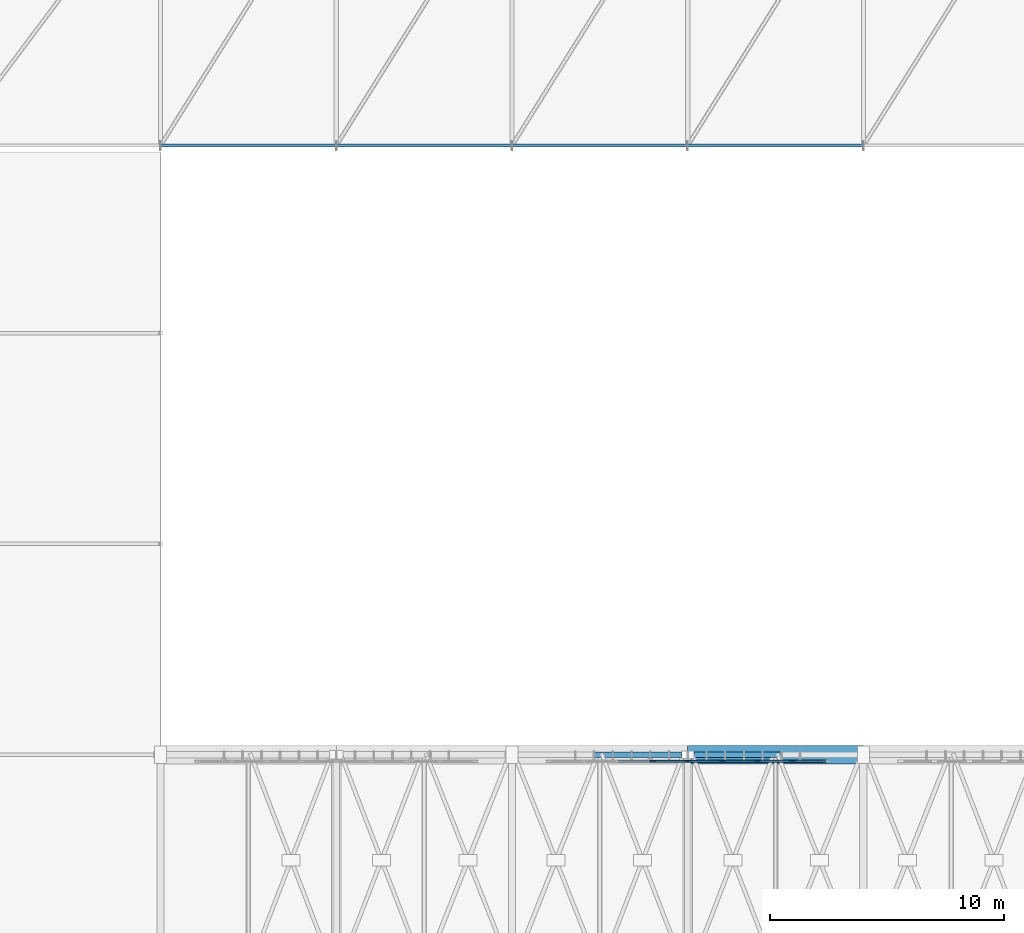
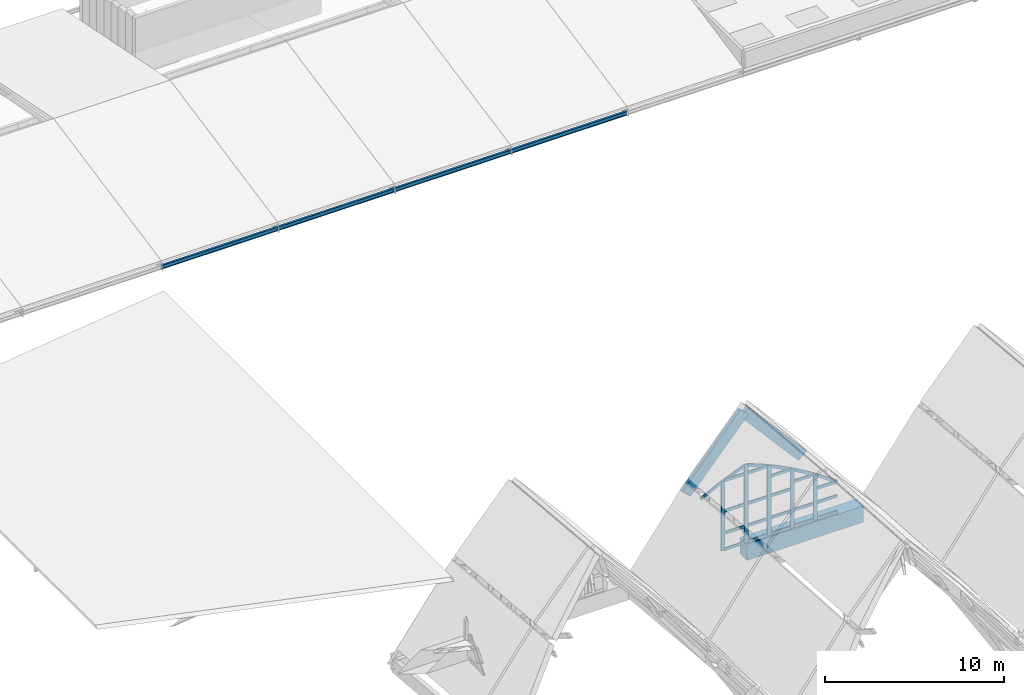
# One storey, part 43 of 93: 29 members, 7 beams, 1 element without a shape of its own.
"""IFC4 building model written with IfcOpenShell, lengths in metres."""

from ifc_helpers import new_model, si_unit, direction, frame, origin, origin_2d, place, context, subcontext, project, spatial, rectangle, i_section, extrude, material, material_profile, profile_set, type_object, element, aggregate, save


model = new_model("IFC4")

# Units and contexts
model_context = context("Model", 3, precision=1e-05, world=origin(), true_north=direction((0.0, 1.0)))
body_context = subcontext(model_context, "Body", "Model", "MODEL_VIEW")
ifc_project = project(units=[si_unit("LENGTHUNIT", "METRE"), si_unit("AREAUNIT", "SQUARE_METRE"), si_unit("VOLUMEUNIT", "CUBIC_METRE"), si_unit("PLANEANGLEUNIT", "RADIAN"), si_unit("MASSUNIT", "GRAM", prefix="KILO")], contexts=[model_context])

# Site, building, storey
site_placement = place(None, origin())
site = spatial("IfcSite", under=ifc_project, at=site_placement, CompositionType="ELEMENT")
building_placement = place(site_placement, origin())
building = spatial("IfcBuilding", under=site, at=building_placement, Name="Vourika Railside Aquatics Centre", CompositionType="ELEMENT")
storey_placement = place(building_placement, frame((0.0, 0.0, 21.89990234375)))
storey = spatial("IfcBuildingStorey", under=building, at=storey_placement, Name="Roof", CompositionType="ELEMENT", Elevation=21.89990234375)

# Beams
ifc_material_1 = material(Name="Glulam GL32h", Category="wood")
ifc_material_profile_1 = material_profile(ifc_material_1, rectangle(XDim=0.239990234375, YDim=0.719970703125, at=origin_2d()), Name="GL32h 240x720")
ifc_profile_set_1 = profile_set([ifc_material_profile_1], Name="Glulam GL32h")
beam_type_1 = type_object("IfcBeamType", Name="BM-GL-ARCH-240x720", PredefinedType="BEAM", material=ifc_profile_set_1)
for number, where, z_axis, x_axis, name in (
    (1, (54.75, 66.0, -6.599853515625), (0.657258623263, 0.0, 0.75366511273), (0.0, 1.0, 0.0), "Pointed Glulam Vault Arch Rib GAR-0060"),
    (2, (58.5, 66.0, -2.2998046875), (0.657258623263, 0.0, -0.75366511273), (0.0, 1.0, 0.0), "Pointed Glulam Vault Arch Rib GAR-0061"),
):
    element("IfcBeam", number, at=place(storey_placement, frame(where, z_axis=z_axis, x_axis=x_axis)), inside=storey, type_object=beam_type_1, Name=name, PredefinedType="BEAM", context=body_context, shape_type="SweptSolid", body=[
        extrude(rectangle(XDim=0.239990234375, YDim=0.719970703125, at=origin_2d()), origin(), (0.0, 0.0, 1.0), 5.70556640625),
    ])
ifc_material_2 = material(Name="Concrete C40/50", Category="concrete")
ifc_material_profile_2 = material_profile(ifc_material_2, rectangle(XDim=0.800048828125, YDim=1.10009765625, at=origin_2d()), Name="RC 800x1100")
ifc_profile_set_2 = profile_set([ifc_material_profile_2], Name="Concrete C40/50")
beam_type_2 = type_object("IfcBeamType", Name="BM-RING-800x1100", PredefinedType="BEAM", material=ifc_profile_set_2)
beam_placement = place(storey_placement, frame((58.5, 66.0, -11.699951171875), z_axis=(1.0, 0.0, 0.0), x_axis=(0.0, 1.0, 0.0)))
element("IfcBeam", 3, at=beam_placement, inside=storey, type_object=beam_type_2, Name="Vault Springing Ring Beam N (58.5-66.0)", PredefinedType="BEAM", context=body_context, shape_type="SweptSolid", body=[
    extrude(rectangle(XDim=0.800048828125, YDim=1.10009765625, at=origin_2d()), origin(), (0.0, 0.0, 1.0), 7.5),
])
ifc_material_3 = material(Name="Steel S355J2", Category="steel")
ifc_material_profile_3 = material_profile(ifc_material_3, i_section(OverallWidth=0.135009765625, OverallDepth=0.27001953125, WebThickness=0.006591796875, FlangeThickness=0.01025390625, at=origin_2d()), Name="IPE 270")
ifc_profile_set_3 = profile_set([ifc_material_profile_3], Name="Steel S355J2")
beam_type_3 = type_object("IfcBeamType", Name="BM-STL-IPE270", PredefinedType="SPANDREL", material=ifc_profile_set_3)
for number, where, z_axis, x_axis, name in (
    (4, (36.0, 92.0, -0.375), (1.0, 0.0, 0.0), (0.0, 1.0, 0.0), "Floor Beam GX-Roof-003"),
    (5, (43.5, 92.0, -0.375), (1.0, 0.0, 0.0), (0.0, 1.0, 0.0), "Floor Beam GX-Roof-004"),
    (6, (51.0, 92.0, -0.375), (1.0, 0.0, 0.0), (0.0, 1.0, 0.0), "Floor Beam GX-Roof-005"),
    (7, (58.5, 92.0, -0.375), (1.0, 0.0, 0.0), (0.0, 1.0, 0.0), "Floor Beam GX-Roof-006"),
):
    element("IfcBeam", number, at=place(storey_placement, frame(where, z_axis=z_axis, x_axis=x_axis)), inside=storey, type_object=beam_type_3, Name=name, PredefinedType="SPANDREL", context=body_context, shape_type="SweptSolid", body=[
        extrude(i_section(OverallWidth=0.135009765625, OverallDepth=0.27001953125, WebThickness=0.006591796875, FlangeThickness=0.01025390625, at=origin_2d()), origin(), (0.0, 0.0, 1.0), 7.5),
    ])

# Curtain wall, members
ifc_material_4 = material(Name="Anodized thermally broken aluminium", Category="aluminium")
curtain_wall_type = type_object("IfcCurtainWallType", Name="CW-VLTN1", PredefinedType="NOTDEFINED", material=ifc_material_4)
curtain_wall_placement = place(storey_placement, origin())
curtain_wall = element("IfcCurtainWall", 8, at=curtain_wall_placement, inside=storey, type_object=curtain_wall_type, Name="North Courtyard Pointed-Arch Curtain Wall Bay 2", PredefinedType="NOTDEFINED")
ifc_material_5 = material(Name="Anodized aluminium mullion", Category="aluminium")
ifc_material_profile_4 = material_profile(ifc_material_5, rectangle(XDim=0.0849609375, YDim=0.25, at=origin_2d()), Name="ALU-M 85x250")
ifc_profile_set_4 = profile_set([ifc_material_profile_4], Name="Anodized aluminium mullion")
member_type_1 = type_object("IfcMemberType", Name="CWM-VLTN1", PredefinedType="MULLION", material=ifc_profile_set_4)
member_1_placement = place(storey_placement, frame((62.96240234375, 65.719970703125, -11.099853515625), z_axis=(0.0, 0.0, 1.0), x_axis=(0.0, -1.0, 0.0)))
member_1 = element("IfcMember", 9, at=member_1_placement, type_object=member_type_1, Name="CW01 arch mullion 2", PredefinedType="MULLION", context=body_context, shape_type="SweptSolid", body=[
    extrude(rectangle(XDim=0.0849609375, YDim=0.25, at=origin_2d()), origin(), (0.0, 0.0, 1.0), 3.1259765625),
])
member_2_placement = place(storey_placement, frame((61.47509765625, 65.719970703125, -11.099853515625), z_axis=(0.0, 0.0, 1.0), x_axis=(0.0, -1.0, 0.0)))
member_2 = element("IfcMember", 10, at=member_2_placement, type_object=member_type_1, Name="CW01 arch mullion 3", PredefinedType="MULLION", context=body_context, shape_type="SweptSolid", body=[
    extrude(rectangle(XDim=0.0849609375, YDim=0.25, at=origin_2d()), origin(), (0.0, 0.0, 1.0), 4.009033203125),
])
member_3_placement = place(storey_placement, frame((59.987548828125, 65.719970703125, -11.099853515625), z_axis=(0.0, 0.0, 1.0), x_axis=(0.0, -1.0, 0.0)))
member_3 = element("IfcMember", 11, at=member_3_placement, type_object=member_type_1, Name="CW01 arch mullion 4", PredefinedType="MULLION", context=body_context, shape_type="SweptSolid", body=[
    extrude(rectangle(XDim=0.0849609375, YDim=0.25, at=origin_2d()), origin(), (0.0, 0.0, 1.0), 4.7509765625),
])
member_4_placement = place(storey_placement, frame((58.5, 65.719970703125, -11.099853515625), z_axis=(0.0, 0.0, 1.0), x_axis=(0.0, -1.0, 0.0)))
member_4 = element("IfcMember", 12, at=member_4_placement, type_object=member_type_1, Name="CW01 arch mullion 5", PredefinedType="MULLION", context=body_context, shape_type="SweptSolid", body=[
    extrude(rectangle(XDim=0.0849609375, YDim=0.25, at=origin_2d()), origin(), (0.0, 0.0, 1.0), 5.349853515625),
])
member_5_placement = place(storey_placement, frame((57.012451171875, 65.719970703125, -11.099853515625), z_axis=(0.0, 0.0, 1.0), x_axis=(0.0, -1.0, 0.0)))
member_5 = element("IfcMember", 13, at=member_5_placement, type_object=member_type_1, Name="CW01 arch mullion 6", PredefinedType="MULLION", context=body_context, shape_type="SweptSolid", body=[
    extrude(rectangle(XDim=0.0849609375, YDim=0.25, at=origin_2d()), origin(), (0.0, 0.0, 1.0), 4.7509765625),
])
ifc_material_6 = material(Name="Anodized aluminium transom", Category="aluminium")
ifc_material_profile_5 = material_profile(ifc_material_6, rectangle(XDim=0.0849609375, YDim=0.195068359375, at=origin_2d()), Name="ALU-T 85x195")
ifc_profile_set_5 = profile_set([ifc_material_profile_5], Name="Anodized aluminium transom")
member_type_2 = type_object("IfcMemberType", Name="CWT-VLTN1", PredefinedType="USERDEFINED", material=ifc_profile_set_5)
member_6_placement = place(storey_placement, frame((64.364990234375, 65.719970703125, -11.057373046875), z_axis=(-1.0, 0.0, 0.0), x_axis=(0.0, -1.0, 0.0)))
member_6 = element("IfcMember", 14, at=member_6_placement, type_object=member_type_2, Name="CW01 transom 1.1", ObjectType="TRANSOM", PredefinedType="USERDEFINED", context=body_context, shape_type="SweptSolid", body=[
    extrude(rectangle(XDim=0.0849609375, YDim=0.195068359375, at=origin_2d()), origin(), (0.0, 0.0, 1.0), 1.360107421875),
])
member_7_placement = place(storey_placement, frame((64.364990234375, 65.719970703125, -9.949951171875), z_axis=(-1.0, 0.0, 0.0), x_axis=(0.0, -1.0, 0.0)))
member_7 = element("IfcMember", 15, at=member_7_placement, type_object=member_type_2, Name="CW01 transom 1.2", ObjectType="TRANSOM", PredefinedType="USERDEFINED", context=body_context, shape_type="SweptSolid", body=[
    extrude(rectangle(XDim=0.0849609375, YDim=0.195068359375, at=origin_2d()), origin(), (0.0, 0.0, 1.0), 1.360107421875),
])
member_8_placement = place(storey_placement, frame((64.364990234375, 65.719970703125, -8.98046875), z_axis=(-1.0, 0.0, 0.0), x_axis=(0.0, -1.0, 0.0)))
member_8 = element("IfcMember", 16, at=member_8_placement, type_object=member_type_2, Name="CW01 transom 1.3", ObjectType="TRANSOM", PredefinedType="USERDEFINED", context=body_context, shape_type="SweptSolid", body=[
    extrude(rectangle(XDim=0.0849609375, YDim=0.195068359375, at=origin_2d()), origin(), (0.0, 0.0, 1.0), 1.360107421875),
])
member_9_placement = place(storey_placement, frame((64.364990234375, 65.719970703125, -8.98046875), z_axis=(-0.823770019809, 0.0, 0.566924117025), x_axis=(0.0, -1.0, 0.0)))
member_9 = element("IfcMember", 17, at=member_9_placement, type_object=member_type_2, Name="CW01 arch chord transom 1", ObjectType="TRANSOM", PredefinedType="USERDEFINED", context=body_context, shape_type="SweptSolid", body=[
    extrude(rectangle(XDim=0.0849609375, YDim=0.195068359375, at=origin_2d()), origin(), (0.0, 0.0, 1.0), 1.651123046875),
])
member_10_placement = place(storey_placement, frame((62.919921875, 65.719970703125, -11.057373046875), z_axis=(-1.0, 0.0, 0.0), x_axis=(0.0, -1.0, 0.0)))
member_10 = element("IfcMember", 18, at=member_10_placement, type_object=member_type_2, Name="CW01 transom 2.1", ObjectType="TRANSOM", PredefinedType="USERDEFINED", context=body_context, shape_type="SweptSolid", body=[
    extrude(rectangle(XDim=0.0849609375, YDim=0.195068359375, at=origin_2d()), origin(), (0.0, 0.0, 1.0), 1.40234375),
])
member_11_placement = place(storey_placement, frame((62.919921875, 65.719970703125, -9.949951171875), z_axis=(-1.0, 0.0, 0.0), x_axis=(0.0, -1.0, 0.0)))
member_11 = element("IfcMember", 19, at=member_11_placement, type_object=member_type_2, Name="CW01 transom 2.2", ObjectType="TRANSOM", PredefinedType="USERDEFINED", context=body_context, shape_type="SweptSolid", body=[
    extrude(rectangle(XDim=0.0849609375, YDim=0.195068359375, at=origin_2d()), origin(), (0.0, 0.0, 1.0), 1.40234375),
])
member_12_placement = place(storey_placement, frame((62.919921875, 65.719970703125, -7.989501953125), z_axis=(-1.0, 0.0, 0.0), x_axis=(0.0, -1.0, 0.0)))
member_12 = element("IfcMember", 20, at=member_12_placement, type_object=member_type_2, Name="CW01 transom 2.3", ObjectType="TRANSOM", PredefinedType="USERDEFINED", context=body_context, shape_type="SweptSolid", body=[
    extrude(rectangle(XDim=0.0849609375, YDim=0.195068359375, at=origin_2d()), origin(), (0.0, 0.0, 1.0), 1.40234375),
])
member_13_placement = place(storey_placement, frame((62.919921875, 65.719970703125, -7.989501953125), z_axis=(-0.859756166629, 0.0, 0.510704742433), x_axis=(0.0, -1.0, 0.0)))
member_13 = element("IfcMember", 21, at=member_13_placement, type_object=member_type_2, Name="CW01 arch chord transom 2", ObjectType="TRANSOM", PredefinedType="USERDEFINED", context=body_context, shape_type="SweptSolid", body=[
    extrude(rectangle(XDim=0.0849609375, YDim=0.195068359375, at=origin_2d()), origin(), (0.0, 0.0, 1.0), 1.631103515625),
])
member_14_placement = place(storey_placement, frame((61.4326171875, 65.719970703125, -11.057373046875), z_axis=(-1.0, 0.0, 0.0), x_axis=(0.0, -1.0, 0.0)))
member_14 = element("IfcMember", 22, at=member_14_placement, type_object=member_type_2, Name="CW01 transom 3.1", ObjectType="TRANSOM", PredefinedType="USERDEFINED", context=body_context, shape_type="SweptSolid", body=[
    extrude(rectangle(XDim=0.0849609375, YDim=0.195068359375, at=origin_2d()), origin(), (0.0, 0.0, 1.0), 1.402587890625),
])
member_15_placement = place(storey_placement, frame((61.4326171875, 65.719970703125, -9.949951171875), z_axis=(-1.0, 0.0, 0.0), x_axis=(0.0, -1.0, 0.0)))
member_15 = element("IfcMember", 23, at=member_15_placement, type_object=member_type_2, Name="CW01 transom 3.2", ObjectType="TRANSOM", PredefinedType="USERDEFINED", context=body_context, shape_type="SweptSolid", body=[
    extrude(rectangle(XDim=0.0849609375, YDim=0.195068359375, at=origin_2d()), origin(), (0.0, 0.0, 1.0), 1.402587890625),
])
member_16_placement = place(storey_placement, frame((61.4326171875, 65.719970703125, -8.449951171875), z_axis=(-1.0, 0.0, 0.0), x_axis=(0.0, -1.0, 0.0)))
member_16 = element("IfcMember", 24, at=member_16_placement, type_object=member_type_2, Name="CW01 transom 3.3", ObjectType="TRANSOM", PredefinedType="USERDEFINED", context=body_context, shape_type="SweptSolid", body=[
    extrude(rectangle(XDim=0.0849609375, YDim=0.195068359375, at=origin_2d()), origin(), (0.0, 0.0, 1.0), 1.402587890625),
])
member_17_placement = place(storey_placement, frame((61.4326171875, 65.719970703125, -7.109375), z_axis=(-1.0, 0.0, 0.0), x_axis=(0.0, -1.0, 0.0)))
member_17 = element("IfcMember", 25, at=member_17_placement, type_object=member_type_2, Name="CW01 transom 3.4", ObjectType="TRANSOM", PredefinedType="USERDEFINED", context=body_context, shape_type="SweptSolid", body=[
    extrude(rectangle(XDim=0.0849609375, YDim=0.195068359375, at=origin_2d()), origin(), (0.0, 0.0, 1.0), 1.402587890625),
])
member_18_placement = place(storey_placement, frame((61.4326171875, 65.719970703125, -7.109375), z_axis=(-0.895018412541, 0.0, 0.44602919323), x_axis=(0.0, -1.0, 0.0)))
member_18 = element("IfcMember", 26, at=member_18_placement, type_object=member_type_2, Name="CW01 arch chord transom 3", ObjectType="TRANSOM", PredefinedType="USERDEFINED", context=body_context, shape_type="SweptSolid", body=[
    extrude(rectangle(XDim=0.0849609375, YDim=0.195068359375, at=origin_2d()), origin(), (0.0, 0.0, 1.0), 1.567138671875),
])
member_19_placement = place(storey_placement, frame((59.945068359375, 65.719970703125, -11.057373046875), z_axis=(-1.0, 0.0, 0.0), x_axis=(0.0, -1.0, 0.0)))
member_19 = element("IfcMember", 27, at=member_19_placement, type_object=member_type_2, Name="CW01 transom 4.1", ObjectType="TRANSOM", PredefinedType="USERDEFINED", context=body_context, shape_type="SweptSolid", body=[
    extrude(rectangle(XDim=0.0849609375, YDim=0.195068359375, at=origin_2d()), origin(), (0.0, 0.0, 1.0), 1.402587890625),
])
member_20_placement = place(storey_placement, frame((59.945068359375, 65.719970703125, -9.949951171875), z_axis=(-1.0, 0.0, 0.0), x_axis=(0.0, -1.0, 0.0)))
member_20 = element("IfcMember", 28, at=member_20_placement, type_object=member_type_2, Name="CW01 transom 4.2", ObjectType="TRANSOM", PredefinedType="USERDEFINED", context=body_context, shape_type="SweptSolid", body=[
    extrude(rectangle(XDim=0.0849609375, YDim=0.195068359375, at=origin_2d()), origin(), (0.0, 0.0, 1.0), 1.402587890625),
])
member_21_placement = place(storey_placement, frame((59.945068359375, 65.719970703125, -8.449951171875), z_axis=(-1.0, 0.0, 0.0), x_axis=(0.0, -1.0, 0.0)))
member_21 = element("IfcMember", 29, at=member_21_placement, type_object=member_type_2, Name="CW01 transom 4.3", ObjectType="TRANSOM", PredefinedType="USERDEFINED", context=body_context, shape_type="SweptSolid", body=[
    extrude(rectangle(XDim=0.0849609375, YDim=0.195068359375, at=origin_2d()), origin(), (0.0, 0.0, 1.0), 1.402587890625),
])
member_22_placement = place(storey_placement, frame((59.945068359375, 65.719970703125, -6.372314453125), z_axis=(-1.0, 0.0, 0.0), x_axis=(0.0, -1.0, 0.0)))
member_22 = element("IfcMember", 30, at=member_22_placement, type_object=member_type_2, Name="CW01 transom 4.4", ObjectType="TRANSOM", PredefinedType="USERDEFINED", context=body_context, shape_type="SweptSolid", body=[
    extrude(rectangle(XDim=0.0849609375, YDim=0.195068359375, at=origin_2d()), origin(), (0.0, 0.0, 1.0), 1.402587890625),
])
member_23_placement = place(storey_placement, frame((59.945068359375, 65.719970703125, -6.372314453125), z_axis=(-0.927583210555, 0.0, 0.373616631719), x_axis=(0.0, -1.0, 0.0)))
member_23 = element("IfcMember", 31, at=member_23_placement, type_object=member_type_2, Name="CW01 arch chord transom 4", ObjectType="TRANSOM", PredefinedType="USERDEFINED", context=body_context, shape_type="SweptSolid", body=[
    extrude(rectangle(XDim=0.0849609375, YDim=0.195068359375, at=origin_2d()), origin(), (0.0, 0.0, 1.0), 1.51220703125),
])
member_24_placement = place(storey_placement, frame((58.45751953125, 65.719970703125, -11.057373046875), z_axis=(-1.0, 0.0, 0.0), x_axis=(0.0, -1.0, 0.0)))
member_24 = element("IfcMember", 32, at=member_24_placement, type_object=member_type_2, Name="CW01 transom 5.1", ObjectType="TRANSOM", PredefinedType="USERDEFINED", context=body_context, shape_type="SweptSolid", body=[
    extrude(rectangle(XDim=0.0849609375, YDim=0.195068359375, at=origin_2d()), origin(), (0.0, 0.0, 1.0), 1.402587890625),
])
member_25_placement = place(storey_placement, frame((58.45751953125, 65.719970703125, -9.949951171875), z_axis=(-1.0, 0.0, 0.0), x_axis=(0.0, -1.0, 0.0)))
member_25 = element("IfcMember", 33, at=member_25_placement, type_object=member_type_2, Name="CW01 transom 5.2", ObjectType="TRANSOM", PredefinedType="USERDEFINED", context=body_context, shape_type="SweptSolid", body=[
    extrude(rectangle(XDim=0.0849609375, YDim=0.195068359375, at=origin_2d()), origin(), (0.0, 0.0, 1.0), 1.402587890625),
])
member_26_placement = place(storey_placement, frame((58.45751953125, 65.719970703125, -8.449951171875), z_axis=(-1.0, 0.0, 0.0), x_axis=(0.0, -1.0, 0.0)))
member_26 = element("IfcMember", 34, at=member_26_placement, type_object=member_type_2, Name="CW01 transom 5.3", ObjectType="TRANSOM", PredefinedType="USERDEFINED", context=body_context, shape_type="SweptSolid", body=[
    extrude(rectangle(XDim=0.0849609375, YDim=0.195068359375, at=origin_2d()), origin(), (0.0, 0.0, 1.0), 1.402587890625),
])
member_27_placement = place(storey_placement, frame((58.45751953125, 65.719970703125, -6.372314453125), z_axis=(-1.0, 0.0, 0.0), x_axis=(0.0, -1.0, 0.0)))
member_27 = element("IfcMember", 35, at=member_27_placement, type_object=member_type_2, Name="CW01 transom 5.4", ObjectType="TRANSOM", PredefinedType="USERDEFINED", context=body_context, shape_type="SweptSolid", body=[
    extrude(rectangle(XDim=0.0849609375, YDim=0.195068359375, at=origin_2d()), origin(), (0.0, 0.0, 1.0), 1.402587890625),
])
member_28_placement = place(storey_placement, frame((58.45751953125, 65.719970703125, -5.807373046875), z_axis=(-0.927583210555, 0.0, -0.373616631719), x_axis=(0.0, -1.0, 0.0)))
member_28 = element("IfcMember", 36, at=member_28_placement, type_object=member_type_2, Name="CW01 arch chord transom 5", ObjectType="TRANSOM", PredefinedType="USERDEFINED", context=body_context, shape_type="SweptSolid", body=[
    extrude(rectangle(XDim=0.0849609375, YDim=0.195068359375, at=origin_2d()), origin(), (0.0, 0.0, 1.0), 1.51220703125),
])
member_29_placement = place(storey_placement, frame((56.969970703125, 65.719970703125, -6.410400390625), z_axis=(-0.895018412541, 0.0, -0.44602919323), x_axis=(0.0, -1.0, 0.0)))
member_29 = element("IfcMember", 37, at=member_29_placement, type_object=member_type_2, Name="CW01 arch chord transom 6", ObjectType="TRANSOM", PredefinedType="USERDEFINED", context=body_context, shape_type="SweptSolid", body=[
    extrude(rectangle(XDim=0.0849609375, YDim=0.195068359375, at=origin_2d()), origin(), (0.0, 0.0, 1.0), 1.567138671875),
])
aggregate(curtain_wall, [member_1, member_2, member_3, member_4, member_5, member_6, member_7, member_8, member_9, member_10, member_11, member_12, member_13, member_14, member_15, member_16, member_17, member_18, member_19, member_20, member_21, member_22, member_23, member_24, member_25, member_26, member_27, member_28, member_29])

save(model, "model.ifc")
